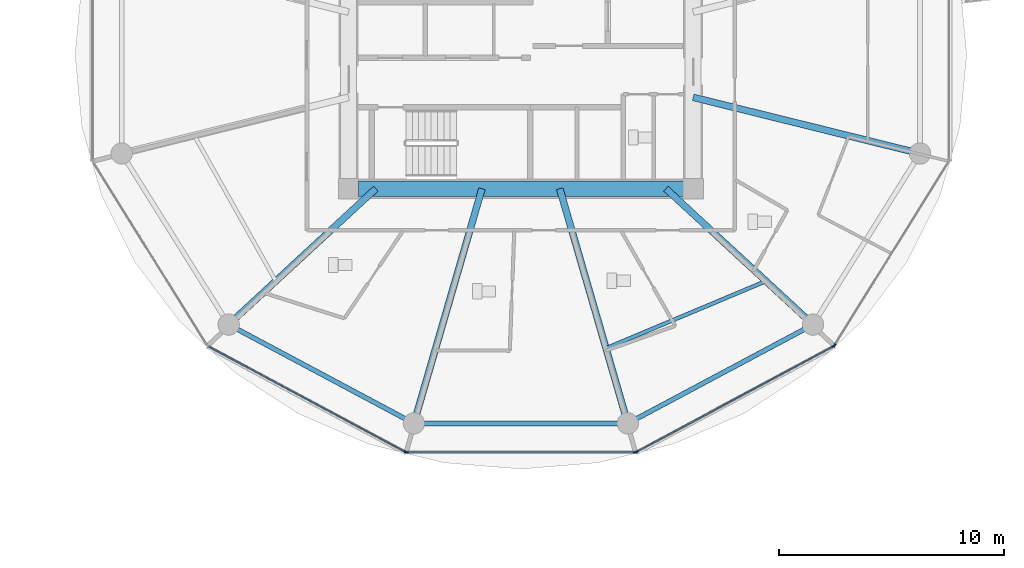
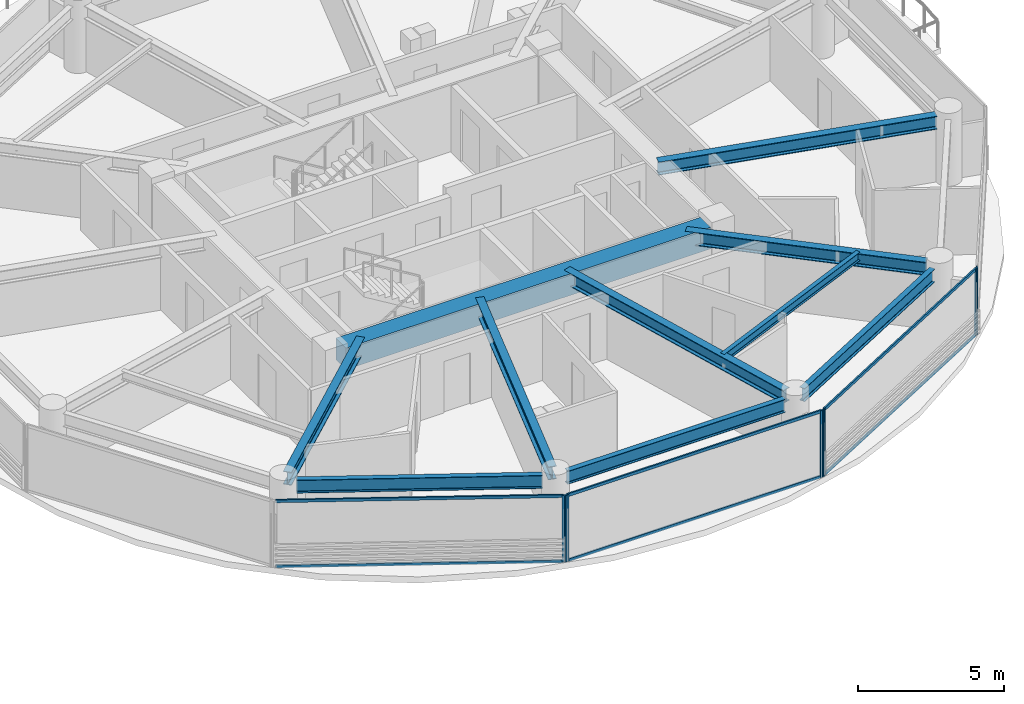
# One storey, part 10 of 27: 12 members, 10 beams, 4 elements without a shape of their own.
"""IFC4 building model written with IfcOpenShell, lengths in metres."""

from ifc_helpers import new_model, si_unit, direction, frame, origin, origin_2d, place, context, subcontext, project, spatial, rectangle, i_section, extrude, source, transform, mapped, material, layer, layer_set, material_profile, profile_set, type_object, type_shapes, element, aggregate, save


model = new_model("IFC4")

# Units and contexts
model_context = context("Model", 3, precision=1e-05, world=origin(), true_north=direction((0.0, 1.0)))
body_context = subcontext(model_context, "Body", "Model", "MODEL_VIEW")
ifc_project = project(units=[si_unit("LENGTHUNIT", "METRE"), si_unit("AREAUNIT", "SQUARE_METRE"), si_unit("VOLUMEUNIT", "CUBIC_METRE"), si_unit("PLANEANGLEUNIT", "RADIAN"), si_unit("MASSUNIT", "GRAM", prefix="KILO")], contexts=[model_context])

# Site, building, storey
site_placement = place(None, origin())
site = spatial("IfcSite", under=ifc_project, at=site_placement, CompositionType="ELEMENT")
building_placement = place(site_placement, origin())
building = spatial("IfcBuilding", under=site, at=building_placement, Name="Norrkilde Senior Care Towers", CompositionType="ELEMENT")
storey_placement = place(building_placement, frame((0.0, 0.0, 52.10009765625)))
storey = spatial("IfcBuildingStorey", under=building, at=storey_placement, Name="L15", CompositionType="ELEMENT", Elevation=52.10009765625)

# Beams
ifc_material_1 = material(Name="Concrete C60/75", Category="concrete")
ifc_material_profile_1 = material_profile(ifc_material_1, rectangle(XDim=0.699951171875, YDim=0.89990234375, at=origin_2d()), Name="RC BM 700x900")
ifc_profile_set_1 = profile_set([ifc_material_profile_1], Name="Concrete C60/75")
beam_type_1 = type_object("IfcBeamType", Name="Core Coupling Girder 700x900", PredefinedType="USERDEFINED", material=ifc_profile_set_1)
shared_shape_1 = source(origin(), body_context, "Body", "SweptSolid", [
    extrude(rectangle(XDim=0.699951171875, YDim=0.89990234375, at=origin_2d()), origin(), (0.0, 0.0, 1.0), 14.43994140625),
])
type_shapes(beam_type_1, [shared_shape_1])
beam_1_placement = place(storey_placement, frame((20.780029296875, -5.949951171875, 2.33984375), z_axis=(1.0, 0.0, 0.0), x_axis=(0.0, 1.0, 0.0)))
element("IfcBeam", 1, at=beam_1_placement, inside=storey, type_object=beam_type_1, Name="L15 Core E S Coupling Girder", ObjectType="GIRDER", PredefinedType="USERDEFINED", context=body_context, shape_type="MappedRepresentation", body=[
    mapped(shared_shape_1, transform((0.0, 0.0, 0.0), x_axis=(1.0, 0.0, 0.0), y_axis=(0.0, 1.0, 0.0), z_axis=(0.0, 0.0, 1.0), scale=1.0)),
])
ifc_material_2 = material(Name="Steel S355", Category="steel")
ifc_material_profile_2 = material_profile(ifc_material_2, i_section(OverallWidth=0.300048828125, OverallDepth=0.550048828125, WebThickness=0.014892578125, FlangeThickness=0.029052734375, FilletRadius=0.027099609375, at=origin_2d()), Name="HEB 550")
ifc_profile_set_2 = profile_set([ifc_material_profile_2], Name="Steel S355")
beam_type_2 = type_object("IfcBeamType", Name="Radial Floor Beam Z1 HEB550", PredefinedType="BEAM", material=ifc_profile_set_2)
shared_shape_2 = source(origin(), body_context, "Body", "SweptSolid", [
    extrude(i_section(OverallWidth=0.300048828125, OverallDepth=0.550048828125, WebThickness=0.014892578125, FlangeThickness=0.029052734375, FilletRadius=0.027099609375, at=origin_2d()), origin(), (0.0, 0.0, 1.0), 9.94384765625),
])
beam_2_placement = place(storey_placement, frame((35.64990234375, -1.893310546875, 2.514892578125), z_axis=(0.970707425182, -0.240264634718, 0.0), x_axis=(0.240264634718, 0.970707425182, 0.0)))
element("IfcBeam", 2, at=beam_2_placement, inside=storey, type_object=beam_type_2, Name="L15 Drum E Radial Floor Beam 12", PredefinedType="BEAM", context=body_context, shape_type="MappedRepresentation", body=[
    mapped(shared_shape_2, transform((0.0, 0.0, 0.0), x_axis=(1.0, 0.0, 0.0), y_axis=(0.0, 1.0, 0.0), z_axis=(0.0, 0.0, 1.0), scale=1.0)),
])
ifc_material_profile_3 = material_profile(ifc_material_2, i_section(OverallWidth=0.2099609375, OverallDepth=0.550048828125, WebThickness=0.010986328125, FlangeThickness=0.01708984375, FilletRadius=0.02392578125, at=origin_2d()), Name="IPE 550")
ifc_profile_set_3 = profile_set([ifc_material_profile_3], Name="Steel S355")
beam_type_3 = type_object("IfcBeamType", Name="Perimeter Ring Spandrel Z1 IPE550", PredefinedType="SPANDREL", material=ifc_profile_set_3)
shared_shape_3 = source(origin(), body_context, "Body", "SweptSolid", [
    extrude(i_section(OverallWidth=0.2099609375, OverallDepth=0.550048828125, WebThickness=0.010986328125, FlangeThickness=0.01708984375, FilletRadius=0.02392578125, at=origin_2d()), origin(), (0.0, 0.0, 1.0), 8.452880859375),
])
for number, where, z_axis, x_axis, name in (
    (3, (15.408447265625, -12.190185546875, 2.514892578125), (0.882368931134, -0.470558252898, 0.0), (0.470558252898, 0.882368931134, 0.0), "L15 Drum E Perimeter Spandrel 08"),
    (4, (33.133056640625, -16.167724609375, 2.514892578125), (0.882368931134, 0.470558252898, 0.0), (-0.470558252898, 0.882368931134, 0.0), "L15 Drum E Perimeter Spandrel 10"),
):
    element("IfcBeam", number, at=place(storey_placement, frame(where, z_axis=z_axis, x_axis=x_axis)), inside=storey, type_object=beam_type_3, Name=name, PredefinedType="SPANDREL", context=body_context, shape_type="MappedRepresentation", body=[
        mapped(shared_shape_3, transform((0.0, 0.0, 0.0), x_axis=(1.0, 0.0, 0.0), y_axis=(0.0, 1.0, 0.0), z_axis=(0.0, 0.0, 1.0), scale=1.0)),
    ])
shared_shape_4 = source(origin(), body_context, "Body", "SweptSolid", [
    extrude(i_section(OverallWidth=0.300048828125, OverallDepth=0.550048828125, WebThickness=0.014892578125, FlangeThickness=0.029052734375, FilletRadius=0.027099609375, at=origin_2d()), origin(), (0.0, 0.0, 1.0), 8.459716796875),
])
for number, where, z_axis, x_axis, name in (
    (5, (21.55859375, -5.949951171875, 2.514892578125), (-0.734573269108, -0.678529374686, 0.0), (0.678529374686, -0.734573269108, 0.0), "L15 Drum E Radial Floor Beam 08"),
    (6, (34.44140625, -5.949951171875, 2.514892578125), (0.734573269108, -0.678529374686, 0.0), (0.678529374686, 0.734573269108, 0.0), "L15 Drum E Radial Floor Beam 11"),
):
    element("IfcBeam", number, at=place(storey_placement, frame(where, z_axis=z_axis, x_axis=x_axis)), inside=storey, type_object=beam_type_2, Name=name, PredefinedType="BEAM", context=body_context, shape_type="MappedRepresentation", body=[
        mapped(shared_shape_4, transform((0.0, 0.0, 0.0), x_axis=(1.0, 0.0, 0.0), y_axis=(0.0, 1.0, 0.0), z_axis=(0.0, 0.0, 1.0), scale=1.0)),
    ])
shared_shape_5 = source(origin(), body_context, "Body", "SweptSolid", [
    extrude(i_section(OverallWidth=0.2099609375, OverallDepth=0.550048828125, WebThickness=0.010986328125, FlangeThickness=0.01708984375, FilletRadius=0.02392578125, at=origin_2d()), origin(), (0.0, 0.0, 1.0), 8.62841796875),
])
type_shapes(beam_type_3, [shared_shape_3, shared_shape_5])
beam_3_placement = place(storey_placement, frame((23.685791015625, -16.37255859375, 2.514892578125), z_axis=(1.0, 0.0, 0.0), x_axis=(0.0, 1.0, 0.0)))
element("IfcBeam", 7, at=beam_3_placement, inside=storey, type_object=beam_type_3, Name="L15 Drum E Perimeter Spandrel 09", PredefinedType="SPANDREL", context=body_context, shape_type="MappedRepresentation", body=[
    mapped(shared_shape_5, transform((0.0, 0.0, 0.0), x_axis=(1.0, 0.0, 0.0), y_axis=(0.0, 1.0, 0.0), z_axis=(0.0, 0.0, 1.0), scale=1.0)),
])
shared_shape_6 = source(origin(), body_context, "Body", "SweptSolid", [
    extrude(i_section(OverallWidth=0.300048828125, OverallDepth=0.550048828125, WebThickness=0.014892578125, FlangeThickness=0.029052734375, FilletRadius=0.027099609375, at=origin_2d()), origin(), (0.0, 0.0, 1.0), 10.4169921875),
])
type_shapes(beam_type_2, [shared_shape_2, shared_shape_4, shared_shape_6])
for number, where, z_axis, x_axis, name in (
    (8, (26.27392578125, -5.949951171875, 2.514892578125), (-0.278591250785, -0.960409764104, 0.0), (0.960409764104, -0.278591250785, 0.0), "L15 Drum E Radial Floor Beam 09"),
    (9, (29.72607421875, -5.949951171875, 2.514892578125), (0.278591250785, -0.960409764104, 0.0), (0.960409764104, 0.278591250785, 0.0), "L15 Drum E Radial Floor Beam 10"),
):
    element("IfcBeam", number, at=place(storey_placement, frame(where, z_axis=z_axis, x_axis=x_axis)), inside=storey, type_object=beam_type_2, Name=name, PredefinedType="BEAM", context=body_context, shape_type="MappedRepresentation", body=[
        mapped(shared_shape_6, transform((0.0, 0.0, 0.0), x_axis=(1.0, 0.0, 0.0), y_axis=(0.0, 1.0, 0.0), z_axis=(0.0, 0.0, 1.0), scale=1.0)),
    ])
ifc_material_profile_4 = material_profile(ifc_material_2, i_section(OverallWidth=0.169921875, OverallDepth=0.360107421875, WebThickness=0.008056640625, FlangeThickness=0.0126953125, FilletRadius=0.01806640625, at=origin_2d()), Name="IPE 360")
ifc_profile_set_4 = profile_set([ifc_material_profile_4], Name="Steel S355")
beam_type_4 = type_object("IfcBeamType", Name="Secondary Floor Joist IPE360", PredefinedType="JOIST", material=ifc_profile_set_4)
shared_shape_7 = source(origin(), body_context, "Body", "SweptSolid", [
    extrude(i_section(OverallWidth=0.169921875, OverallDepth=0.360107421875, WebThickness=0.008056640625, FlangeThickness=0.0126953125, FilletRadius=0.01806640625, at=origin_2d()), origin(), (0.0, 0.0, 1.0), 7.703857421875),
])
type_shapes(beam_type_4, [shared_shape_7])
beam_4_placement = place(storey_placement, frame((31.78173828125, -13.037353515625, 2.60986328125), z_axis=(0.921982784465, 0.387230868023, 0.0), x_axis=(-0.387230868023, 0.921982784465, 0.0)))
element("IfcBeam", 10, at=beam_4_placement, inside=storey, type_object=beam_type_4, Name="L15 Drum E Secondary Floor Joist 4", PredefinedType="JOIST", context=body_context, shape_type="MappedRepresentation", body=[
    mapped(shared_shape_7, transform((0.0, 0.0, 0.0), x_axis=(1.0, 0.0, 0.0), y_axis=(0.0, 1.0, 0.0), z_axis=(0.0, 0.0, 1.0), scale=1.0)),
])

# Curtain wall, member
ifc_material_3 = material(Name="Triple Low-E Insulated Glazing", Category="glass")
ifc_layer = layer(ifc_material_3, 0.199951171875)
ifc_layer_set = layer_set([ifc_layer], Name="Triple Low-E Insulated Glazing")
curtain_wall_type = type_object("IfcCurtainWallType", Name="CW2 Zone 1 Memory Care Curtain Wall", PredefinedType="NOTDEFINED", material=ifc_layer_set)
curtain_wall_1_placement = place(storey_placement, origin())
curtain_wall_1 = element("IfcCurtainWall", 11, at=curtain_wall_1_placement, inside=storey, type_object=curtain_wall_type, Name="L15 Drum E Curtain Wall 07", PredefinedType="NOTDEFINED")
ifc_material_4 = material(Name="Anodised Aluminium", Category="aluminium")
ifc_material_profile_5 = material_profile(ifc_material_4, rectangle(XDim=0.06494140625, YDim=0.159912109375, at=origin_2d()), Name="ALU MULL 65x160")
ifc_profile_set_5 = profile_set([ifc_material_profile_5], Name="Anodised Aluminium")
member_type_1 = type_object("IfcMemberType", Name="Curtain Wall Mullion Z1-Z2 65x160", PredefinedType="MULLION", material=ifc_profile_set_5)
shared_shape_8 = source(origin(), body_context, "Body", "SweptSolid", [
    extrude(rectangle(XDim=0.06494140625, YDim=0.159912109375, at=origin_2d()), origin(), (0.0, 0.0, 1.0), 2.789794921875),
])
type_shapes(member_type_1, [shared_shape_8])
member_1_placement = place(storey_placement, frame((22.877685546875, -17.641845703125, 0.0), z_axis=(0.0, 0.0, 1.0), x_axis=(-0.472607802456, -0.881272866403, 0.0)))
member_1 = element("IfcMember", 12, at=member_1_placement, type_object=member_type_1, Name="CW-2 mullion 1", PredefinedType="MULLION", context=body_context, shape_type="MappedRepresentation", body=[
    mapped(shared_shape_8, transform((0.0, 0.0, 0.0), x_axis=(1.0, 0.0, 0.0), y_axis=(0.0, 1.0, 0.0), z_axis=(0.0, 0.0, 1.0), scale=1.0)),
])

# Curtain wall, members
curtain_wall_2_placement = place(storey_placement, origin())
curtain_wall_2 = element("IfcCurtainWall", 13, at=curtain_wall_2_placement, inside=storey, type_object=curtain_wall_type, Name="L15 Drum E Curtain Wall 08", PredefinedType="NOTDEFINED")
member_2_placement = place(storey_placement, frame((33.06103515625, -17.6572265625, 0.0), z_axis=(0.0, 0.0, 1.0), x_axis=(0.0, -1.0, 0.0)))
member_2 = element("IfcMember", 14, at=member_2_placement, type_object=member_type_1, Name="CW-2 mullion 1", PredefinedType="MULLION", context=body_context, shape_type="MappedRepresentation", body=[
    mapped(shared_shape_8, transform((0.0, 0.0, 0.0), x_axis=(1.0, 0.0, 0.0), y_axis=(0.0, 1.0, 0.0), z_axis=(0.0, 0.0, 1.0), scale=1.0)),
])
member_3_placement = place(storey_placement, frame((22.93896484375, -17.6572265625, 0.0), z_axis=(0.0, 0.0, 1.0), x_axis=(0.0, -1.0, 0.0)))
member_3 = element("IfcMember", 15, at=member_3_placement, type_object=member_type_1, Name="CW-2 mullion 2", PredefinedType="MULLION", context=body_context, shape_type="MappedRepresentation", body=[
    mapped(shared_shape_8, transform((0.0, 0.0, 0.0), x_axis=(1.0, 0.0, 0.0), y_axis=(0.0, 1.0, 0.0), z_axis=(0.0, 0.0, 1.0), scale=1.0)),
])

curtain_wall_3_placement = place(storey_placement, origin())
curtain_wall_3 = element("IfcCurtainWall", 16, at=curtain_wall_3_placement, inside=storey, type_object=curtain_wall_type, Name="L15 Drum E Curtain Wall 09", PredefinedType="NOTDEFINED")
member_4_placement = place(storey_placement, frame((41.88720703125, -12.941162109375, 0.0), z_axis=(0.0, 0.0, 1.0), x_axis=(0.472607802456, -0.881272866403, 0.0)))
member_4 = element("IfcMember", 17, at=member_4_placement, type_object=member_type_1, Name="CW-2 mullion 1", PredefinedType="MULLION", context=body_context, shape_type="MappedRepresentation", body=[
    mapped(shared_shape_8, transform((0.0, 0.0, 0.0), x_axis=(1.0, 0.0, 0.0), y_axis=(0.0, 1.0, 0.0), z_axis=(0.0, 0.0, 1.0), scale=1.0)),
])
member_5_placement = place(storey_placement, frame((33.122314453125, -17.641845703125, 0.0), z_axis=(0.0, 0.0, 1.0), x_axis=(0.472607802456, -0.881272866403, 0.0)))
member_5 = element("IfcMember", 18, at=member_5_placement, type_object=member_type_1, Name="CW-2 mullion 2", PredefinedType="MULLION", context=body_context, shape_type="MappedRepresentation", body=[
    mapped(shared_shape_8, transform((0.0, 0.0, 0.0), x_axis=(1.0, 0.0, 0.0), y_axis=(0.0, 1.0, 0.0), z_axis=(0.0, 0.0, 1.0), scale=1.0)),
])

# Curtain wall, member
curtain_wall_4_placement = place(storey_placement, origin())
curtain_wall_4 = element("IfcCurtainWall", 19, at=curtain_wall_4_placement, inside=storey, type_object=curtain_wall_type, Name="L15 Drum E Curtain Wall 10", PredefinedType="NOTDEFINED")
member_6_placement = place(storey_placement, frame((41.93310546875, -12.898193359375, 0.0), z_axis=(0.0, 0.0, 1.0), x_axis=(0.849305943117, -0.527900951871, 0.0)))
member_6 = element("IfcMember", 20, at=member_6_placement, type_object=member_type_1, Name="CW-2 mullion 2", PredefinedType="MULLION", context=body_context, shape_type="MappedRepresentation", body=[
    mapped(shared_shape_8, transform((0.0, 0.0, 0.0), x_axis=(1.0, 0.0, 0.0), y_axis=(0.0, 1.0, 0.0), z_axis=(0.0, 0.0, 1.0), scale=1.0)),
])
aggregate(curtain_wall_4, [member_6])

# Member
ifc_material_profile_6 = material_profile(ifc_material_4, rectangle(XDim=0.06005859375, YDim=0.1201171875, at=origin_2d()), Name="ALU TRAN 60x120")
ifc_profile_set_6 = profile_set([ifc_material_profile_6], Name="Anodised Aluminium")
member_type_2 = type_object("IfcMemberType", Name="Curtain Wall Transom Typical 60x120", PredefinedType="USERDEFINED", material=ifc_profile_set_6)
shared_shape_9 = source(origin(), body_context, "Body", "SweptSolid", [
    extrude(rectangle(XDim=0.06005859375, YDim=0.1201171875, at=origin_2d()), origin(), (0.0, 0.0, 1.0), 9.880859375),
])
member_7_placement = place(storey_placement, frame((22.84912109375, -17.62646484375, 0.02978515625), z_axis=(-0.881267204043, 0.47261836092, 0.0), x_axis=(-0.47261836092, -0.881267204043, 0.0)))
member_7 = element("IfcMember", 21, at=member_7_placement, type_object=member_type_2, Name="CW-2 transom 1.1", ObjectType="TRANSOM", PredefinedType="USERDEFINED", context=body_context, shape_type="MappedRepresentation", body=[
    mapped(shared_shape_9, transform((0.0, 0.0, 0.0), x_axis=(1.0, 0.0, 0.0), y_axis=(0.0, 1.0, 0.0), z_axis=(0.0, 0.0, 1.0), scale=1.0)),
])

member_8_placement = place(storey_placement, frame((22.84912109375, -17.62646484375, 2.760009765625), z_axis=(-0.881267204043, 0.47261836092, 0.0), x_axis=(-0.47261836092, -0.881267204043, 0.0)))
member_8 = element("IfcMember", 22, at=member_8_placement, type_object=member_type_2, Name="CW-2 transom 1.2", ObjectType="TRANSOM", PredefinedType="USERDEFINED", context=body_context, shape_type="MappedRepresentation", body=[
    mapped(shared_shape_9, transform((0.0, 0.0, 0.0), x_axis=(1.0, 0.0, 0.0), y_axis=(0.0, 1.0, 0.0), z_axis=(0.0, 0.0, 1.0), scale=1.0)),
])

aggregate(curtain_wall_1, [member_1, member_7, member_8])

member_9_placement = place(storey_placement, frame((41.858642578125, -12.95654296875, 0.02978515625), z_axis=(-0.881267204043, -0.47261836092, 0.0), x_axis=(0.47261836092, -0.881267204043, 0.0)))
member_9 = element("IfcMember", 23, at=member_9_placement, type_object=member_type_2, Name="CW-2 transom 1.1", ObjectType="TRANSOM", PredefinedType="USERDEFINED", context=body_context, shape_type="MappedRepresentation", body=[
    mapped(shared_shape_9, transform((0.0, 0.0, 0.0), x_axis=(1.0, 0.0, 0.0), y_axis=(0.0, 1.0, 0.0), z_axis=(0.0, 0.0, 1.0), scale=1.0)),
])

member_10_placement = place(storey_placement, frame((41.858642578125, -12.95654296875, 2.760009765625), z_axis=(-0.881267204043, -0.47261836092, 0.0), x_axis=(0.47261836092, -0.881267204043, 0.0)))
member_10 = element("IfcMember", 24, at=member_10_placement, type_object=member_type_2, Name="CW-2 transom 1.2", ObjectType="TRANSOM", PredefinedType="USERDEFINED", context=body_context, shape_type="MappedRepresentation", body=[
    mapped(shared_shape_9, transform((0.0, 0.0, 0.0), x_axis=(1.0, 0.0, 0.0), y_axis=(0.0, 1.0, 0.0), z_axis=(0.0, 0.0, 1.0), scale=1.0)),
])

aggregate(curtain_wall_3, [member_4, member_5, member_9, member_10])

shared_shape_10 = source(origin(), body_context, "Body", "SweptSolid", [
    extrude(rectangle(XDim=0.06005859375, YDim=0.1201171875, at=origin_2d()), origin(), (0.0, 0.0, 1.0), 10.05712890625),
])
type_shapes(member_type_2, [shared_shape_9, shared_shape_10])
member_11_placement = place(storey_placement, frame((33.028564453125, -17.6572265625, 0.02978515625), z_axis=(-1.0, 0.0, 0.0), x_axis=(0.0, -1.0, 0.0)))
member_11 = element("IfcMember", 25, at=member_11_placement, type_object=member_type_2, Name="CW-2 transom 1.1", ObjectType="TRANSOM", PredefinedType="USERDEFINED", context=body_context, shape_type="MappedRepresentation", body=[
    mapped(shared_shape_10, transform((0.0, 0.0, 0.0), x_axis=(1.0, 0.0, 0.0), y_axis=(0.0, 1.0, 0.0), z_axis=(0.0, 0.0, 1.0), scale=1.0)),
])

member_12_placement = place(storey_placement, frame((33.028564453125, -17.6572265625, 2.760009765625), z_axis=(-1.0, 0.0, 0.0), x_axis=(0.0, -1.0, 0.0)))
member_12 = element("IfcMember", 26, at=member_12_placement, type_object=member_type_2, Name="CW-2 transom 1.2", ObjectType="TRANSOM", PredefinedType="USERDEFINED", context=body_context, shape_type="MappedRepresentation", body=[
    mapped(shared_shape_10, transform((0.0, 0.0, 0.0), x_axis=(1.0, 0.0, 0.0), y_axis=(0.0, 1.0, 0.0), z_axis=(0.0, 0.0, 1.0), scale=1.0)),
])

aggregate(curtain_wall_2, [member_2, member_3, member_11, member_12])

save(model, "model.ifc")
